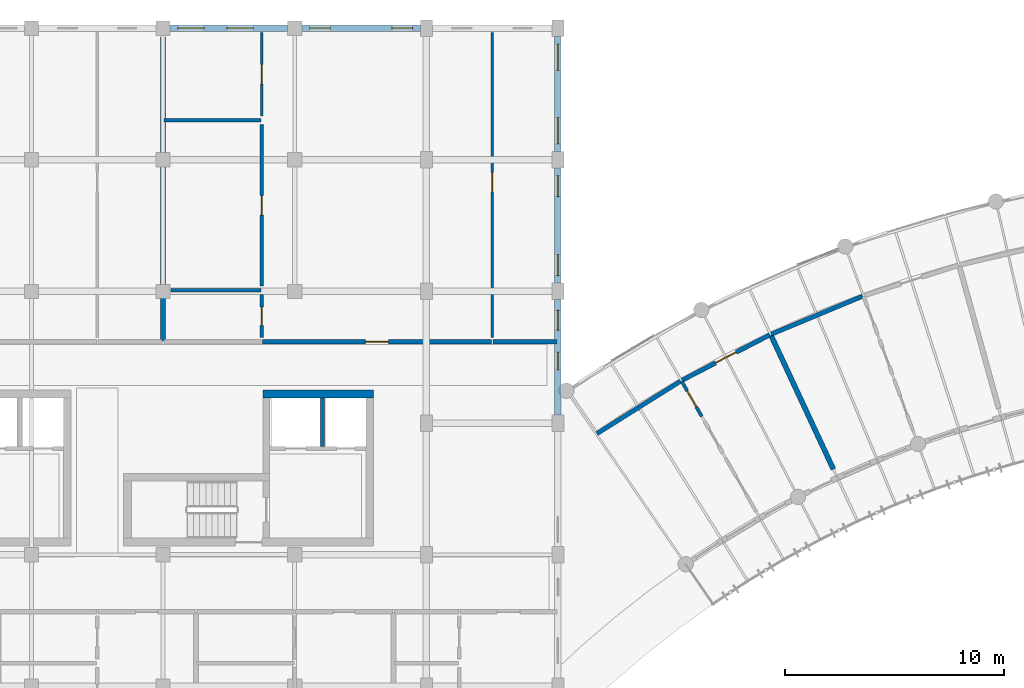
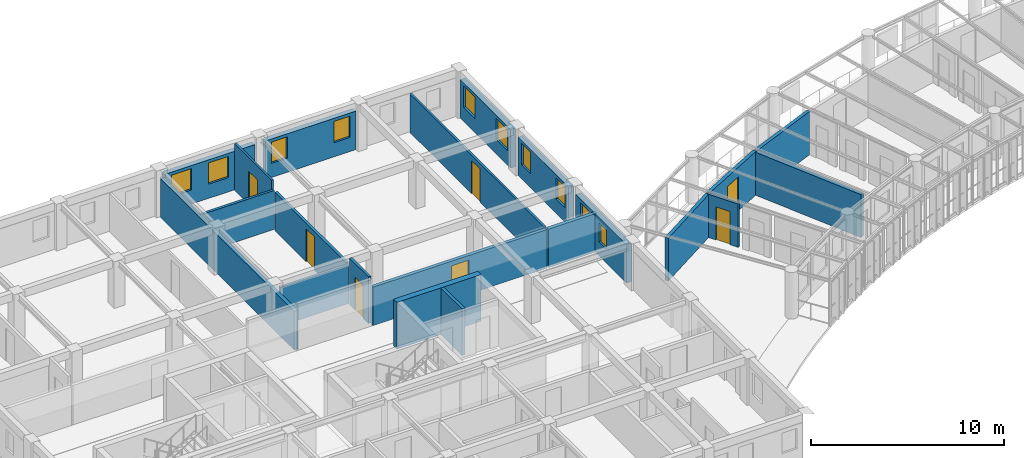
# One storey, part 72 of 100: 21 walls, 10 windows, 7 doors, 17 openings.
"""IFC4 building model written with IfcOpenShell, lengths in metres."""

import ifcopenshell
import ifcopenshell.guid

model = None  # the IFC model being written
_history = None  # IfcOwnerHistory: only IFC2X3 demands one
_inside = {}  # id of a spatial element -> (the spatial element, [elements in it])
_under = {}  # id of a project, library or spatial element -> (it, [spatial elements below it])
_declared = {}  # id of a project -> (the project, [libraries it declares])
_typed = {}  # id of a type object -> (the type object, [elements of that type])
_made_of = {}  # id of a material, layer set ... -> (it, [elements and type objects made of it])


def new_model(schema):
    """Start an empty IFC model of exactly this schema.

    Asked for "IFC4X3", IfcOpenShell would pick the latest addendum, in which some entities
    have other attributes; the version numbers below select the first issue.
    IFC2X3 requires an IfcOwnerHistory on every rooted entity: one is made here for all.
    """
    global model, _history
    if schema == "IFC4X3":
        model = ifcopenshell.file(schema_version=(4, 3, 0, 0))
    else:
        model = ifcopenshell.file(schema=schema)
    _inside.clear()
    _under.clear()
    _declared.clear()
    _typed.clear()
    _made_of.clear()
    _history = None
    if model.schema == "IFC2X3":
        org = make("IfcOrganization", Name="unknown")
        user = make(
            "IfcPersonAndOrganization",
            ThePerson=make("IfcPerson", FamilyName="unknown"),
            TheOrganization=org,
        )
        app = make(
            "IfcApplication",
            ApplicationDeveloper=org,
            Version="unknown",
            ApplicationFullName="unknown",
            ApplicationIdentifier="unknown",
        )
        _history = make(
            "IfcOwnerHistory",
            OwningUser=user,
            OwningApplication=app,
            ChangeAction="ADDED",
            CreationDate=0,
        )
    return model


def make(cls, **values):
    """One entity of the class cls with the attributes given. An attribute that is None is left unset."""
    return model.create_entity(
        cls, **{name: value for name, value in values.items() if value is not None}
    )


def rooted(cls, **values):
    """An entity with a GlobalId (a new one), such as an element, a storey or a relation."""
    return make(cls, GlobalId=ifcopenshell.guid.new(), OwnerHistory=_history, **values)


def si_unit(unit_type, name, prefix=None):
    """IfcSIUnit, for example si_unit("LENGTHUNIT", "METRE", prefix="MILLI")."""
    return make("IfcSIUnit", UnitType=unit_type, Prefix=prefix, Name=name)


def assignment(units):
    """IfcUnitAssignment: the units of a project."""
    return None if units is None else make("IfcUnitAssignment", Units=units)


def point(xyz):
    """IfcCartesianPoint."""
    return None if xyz is None else make("IfcCartesianPoint", Coordinates=xyz)


def direction(xyz):
    """IfcDirection."""
    return None if xyz is None else make("IfcDirection", DirectionRatios=xyz)


def frame(location, z_axis=None, x_axis=None):
    """IfcAxis2Placement3D, a coordinate frame: its origin and axes. An axis left out is left unset."""
    return make(
        "IfcAxis2Placement3D",
        Location=point(location),
        Axis=direction(z_axis),
        RefDirection=direction(x_axis),
    )


def frame_2d(location, x_axis=None):
    """IfcAxis2Placement2D, a coordinate frame in the plane: its origin and x axis."""
    return make(
        "IfcAxis2Placement2D", Location=point(location), RefDirection=direction(x_axis)
    )


def origin():
    """The frame at (0, 0, 0) with its axes left unset."""
    return frame((0.0, 0.0, 0.0))


def place(relative_to, where):
    """IfcLocalPlacement: puts the frame where relative to a parent placement (None: the world)."""
    return make(
        "IfcLocalPlacement", PlacementRelTo=relative_to, RelativePlacement=where
    )


def context(
    kind, dimensions, precision=None, world=None, true_north=None, identifier=None
):
    """IfcGeometricRepresentationContext, for example the 3D "Model" context."""
    return make(
        "IfcGeometricRepresentationContext",
        ContextIdentifier=identifier,
        ContextType=kind,
        CoordinateSpaceDimension=dimensions,
        Precision=precision,
        WorldCoordinateSystem=world,
        TrueNorth=true_north,
    )


def subcontext(parent, identifier, kind, view, scale=None):
    """IfcGeometricRepresentationSubContext, for example "Body" below "Model"."""
    return make(
        "IfcGeometricRepresentationSubContext",
        ContextIdentifier=identifier,
        ContextType=kind,
        ParentContext=parent,
        TargetScale=scale,
        TargetView=view,
    )


def project(units=None, contexts=None):
    """IfcProject with its units and contexts."""
    return rooted(
        "IfcProject",
        Name="project",
        RepresentationContexts=contexts,
        UnitsInContext=assignment(units),
    )


def spatial(cls, under=None, at=None, **own):
    """A site, building, storey or space (cls), placed at a placement, below another one or the project."""
    s = rooted(cls, ObjectPlacement=at, **own)
    if under is not None:
        _under.setdefault(under.id(), (under, []))[1].append(s)
    return s


def profile(cls, at=None, kind="AREA", **sizes):
    """A parametric profile (cls). Its sizes go by their IFC names, for example OverallWidth=200.0."""
    return make(cls, ProfileType=kind, Position=at, **sizes)


def rectangle(**sizes):
    """IfcRectangleProfileDef."""
    return profile("IfcRectangleProfileDef", **sizes)


def extrude(swept, where, along, depth):
    """IfcExtrudedAreaSolid: the profile swept, set in the frame where, extruded along a direction by depth."""
    return make(
        "IfcExtrudedAreaSolid",
        SweptArea=swept,
        Position=where,
        ExtrudedDirection=direction(along),
        Depth=depth,
    )


def shape(context_of_items, identifier, shape_type, items):
    """IfcShapeRepresentation: the items that make up one representation, for example the "Body"."""
    return make(
        "IfcShapeRepresentation",
        ContextOfItems=context_of_items,
        RepresentationIdentifier=identifier,
        RepresentationType=shape_type,
        Items=items,
    )


def material(Name=None, Category=None):
    """IfcMaterial."""
    return make("IfcMaterial", Name=Name, Category=Category)


def layer(
    of_material, thickness, ventilated=None, Name=None, Category=None, Priority=None
):
    """IfcMaterialLayer: one layer of a wall or slab, of a material (None: an air gap)."""
    return make(
        "IfcMaterialLayer",
        Material=of_material,
        LayerThickness=thickness,
        IsVentilated=ventilated,
        Name=Name,
        Category=Category,
        Priority=Priority,
    )


def layer_set(layers, Name=None):
    """IfcMaterialLayerSet."""
    return make("IfcMaterialLayerSet", MaterialLayers=layers, LayerSetName=Name)


def made_of(thing, what):
    """Note that an element or type object is made of a material, layer set ...; save() writes the relation."""
    if what is not None:
        _made_of.setdefault(what.id(), (what, []))[1].append(thing)
    return thing


def type_object(cls, material=None, **own):
    """A type object (cls), such as IfcWallType, which elements share."""
    return made_of(rooted(cls, **own), material)


def element(
    cls,
    number,
    at=None,
    inside=None,
    cuts=None,
    type_object=None,
    material=None,
    context=None,
    identifier="Body",
    shape_type=None,
    held_by="IfcProductDefinitionShape",
    body=None,
    shapes=None,
    **own,
):
    """One element of the class cls, such as IfcWall. Its Tag is "e" and its number.

    at: its placement. inside: the storey or other place that contains it. cuts: it is an
    opening in that element (IfcRelVoidsElement). A single representation is given by context,
    identifier, shape_type and body (its items); several are given by shapes. held_by: the class
    of the entity that holds the representations. save() writes the other relations.
    """
    e = rooted(cls, Tag="e%d" % number, ObjectPlacement=at, **own)
    if body is not None:
        shapes = [shape(context, identifier, shape_type, body)]
    if shapes is not None:
        e.Representation = make(held_by, Representations=shapes)
    if inside is not None:
        _inside.setdefault(inside.id(), (inside, []))[1].append(e)
    if cuts is not None:
        rooted(
            "IfcRelVoidsElement", RelatingBuildingElement=cuts, RelatedOpeningElement=e
        )
    if type_object is not None:
        _typed.setdefault(type_object.id(), (type_object, []))[1].append(e)
    return made_of(e, material)


def fill(opening, filler):
    """IfcRelFillsElement: the door or window that sits in an opening."""
    return rooted(
        "IfcRelFillsElement",
        RelatingOpeningElement=opening,
        RelatedBuildingElement=filler,
    )


def aggregate(whole, parts):
    """IfcRelAggregates: a whole, such as a stair, and the parts it consists of."""
    return rooted("IfcRelAggregates", RelatingObject=whole, RelatedObjects=parts)


def save(model, path):
    """Write the relations noted so far, then the file.

    IfcRelAggregates (storeys below a building ...), IfcRelContainedInSpatialStructure (elements
    in a storey), IfcRelDefinesByType, IfcRelAssociatesMaterial and IfcRelDeclares: one each for
    every whole, place, type object, material and project.
    """
    for whole, parts in _under.values():
        aggregate(whole, parts)
    for where, things in _inside.values():
        rooted(
            "IfcRelContainedInSpatialStructure",
            RelatedElements=things,
            RelatingStructure=where,
        )
    for kind, things in _typed.values():
        rooted("IfcRelDefinesByType", RelatedObjects=things, RelatingType=kind)
    for what, things in _made_of.values():
        rooted("IfcRelAssociatesMaterial", RelatedObjects=things, RelatingMaterial=what)
    for by, libraries in _declared.values():
        rooted("IfcRelDeclares", RelatingContext=by, RelatedDefinitions=libraries)
    model.write(path)


model = new_model("IFC4")

# Units and contexts
model_context = context("Model", 3, precision=1e-05, world=origin(), true_north=direction((0.0, 1.0)))
body_context = subcontext(model_context, "Body", "Model", "MODEL_VIEW")
ifc_project = project(units=[si_unit("LENGTHUNIT", "METRE"), si_unit("AREAUNIT", "SQUARE_METRE"), si_unit("VOLUMEUNIT", "CUBIC_METRE"), si_unit("PLANEANGLEUNIT", "RADIAN"), si_unit("MASSUNIT", "GRAM", prefix="KILO"), si_unit("POWERUNIT", "WATT"), si_unit("THERMODYNAMICTEMPERATUREUNIT", "KELVIN")], contexts=[model_context])

# Site, building, storey
site_placement = place(None, origin())
site = spatial("IfcSite", under=ifc_project, at=site_placement, CompositionType="ELEMENT")
building_placement = place(site_placement, origin())
building = spatial("IfcBuilding", under=site, at=building_placement, Name="Ruvembo Vaulted Housing Court", CompositionType="ELEMENT")
storey_placement = place(building_placement, frame((0.0, 0.0, 10.89990234375)))
storey = spatial("IfcBuildingStorey", under=building, at=storey_placement, Name="L03", CompositionType="ELEMENT", Elevation=10.89990234375)

# Wall
ifc_material_1 = material(Name="Concrete C35/45", Category="concrete")
ifc_layer_1 = layer(ifc_material_1, 0.35009765625, Name="Concrete C35/45")
ifc_layer_set_1 = layer_set([ifc_layer_1], Name="Concrete C35/45")
wall_type_1 = type_object("IfcWallType", Name="WL-CORE-350", PredefinedType="SHEAR", material=ifc_layer_set_1)
wall_1_placement = place(storey_placement, frame((75.60009765625, 97.324951171875, 0.0), z_axis=(0.0, 0.0, 1.0), x_axis=(-1.0, 0.0, 0.0)))
element("IfcWall", 1, at=wall_1_placement, inside=storey, type_object=wall_type_1, Name="Core B2 L03 North Shear Wall", PredefinedType="SHEAR", context=body_context, shape_type="SweptSolid", body=[
    extrude(rectangle(XDim=5.050048828125, YDim=0.35009765625, at=frame_2d((2.52490234375, 0.0))), origin(), (0.0, 0.0, 1.0), 2.960205078125),
])

# Wall, opening, door
ifc_material_2 = material(Name="Concrete Blockwork 200", Category="masonry")
ifc_layer_2 = layer(ifc_material_2, 0.199951171875, Name="Concrete Blockwork 200")
ifc_layer_set_2 = layer_set([ifc_layer_2], Name="Concrete Blockwork 200")
wall_type_2 = type_object("IfcWallType", Name="WL-CORR-200", PredefinedType="SOLIDWALL", material=ifc_layer_set_2)
wall_2_placement = place(storey_placement, frame((70.5400390625, 99.699951171875, 0.0), z_axis=(0.0, 0.0, 1.0), x_axis=(1.0, 0.0, 0.0)))
wall_2 = element("IfcWall", 2, at=wall_2_placement, inside=storey, type_object=wall_type_2, Name="L03 Flat B-L03-N2 Entrance WL-INT-L03-00867", PredefinedType="SOLIDWALL", context=body_context, shape_type="SweptSolid", body=[
    extrude(rectangle(XDim=10.419921875, YDim=0.199951171875, at=frame_2d((5.2099609375, 0.0))), origin(), (0.0, 0.0, 1.0), 2.442138671875),
])
opening_1_placement = place(wall_2_placement, frame((4.68505859375, 0.0, 0.0)))
opening_1 = element("IfcOpeningElement", 3, at=opening_1_placement, cuts=wall_2, Name="Opening FD3", PredefinedType="OPENING", context=body_context, shape_type="SweptSolid", body=[
    extrude(rectangle(XDim=1.050048828125, YDim=2.14990234375, at=frame_2d((0.52490234375, 1.074951171875))), frame((0.0, 0.10986328125, 0.0), z_axis=(0.0, -1.0, 0.0), x_axis=(1.0, 0.0, 0.0)), (0.0, 0.0, 1.0), 0.219970703125),
])
ifc_material_3 = material(Name="FSC Hardwood and Engineered Timber", Category="wood")
door_type_1 = type_object("IfcDoorType", Name="DR-FLAT-1050x2150", OperationType="NOTDEFINED", PredefinedType="DOOR", material=ifc_material_3)
door_1_placement = place(opening_1_placement, origin())
door_1 = element("IfcDoor", 4, at=door_1_placement, inside=storey, type_object=door_type_1, Name="L03 Flat B-L03-N2 Entrance Door DR-INT-L03-00479", OperationType="SINGLE_SWING_LEFT", OverallHeight=2.14990234375, OverallWidth=1.050048828125, PredefinedType="DOOR", context=body_context, shape_type="SweptSolid", body=[
    extrude(rectangle(XDim=1.050048828125, YDim=2.14990234375, at=frame_2d((0.52490234375, 1.074951171875))), frame((0.0, 0.02490234375, 0.0), z_axis=(0.0, -1.0, 0.0), x_axis=(1.0, 0.0, 0.0)), (0.0, 0.0, 1.0), 0.050048828125),
])
fill(opening_1, door_1)

# Walls
wall_3_placement = place(storey_placement, frame((81.0400390625, 99.699951171875, 0.0), z_axis=(0.0, 0.0, 1.0), x_axis=(1.0, 0.0, 0.0)))
element("IfcWall", 5, at=wall_3_placement, inside=storey, type_object=wall_type_2, Name="L03 Flat B-L03-N2 Corridor Wall 2 WL-INT-L03-00873", PredefinedType="SOLIDWALL", context=body_context, shape_type="SweptSolid", body=[
    extrude(rectangle(XDim=2.919921875, YDim=0.199951171875, at=frame_2d((1.4599609375, 0.0))), origin(), (0.0, 0.0, 1.0), 2.442138671875),
])
wall_4_placement = place(storey_placement, frame((85.779052734375, 95.5205078125, 0.0), z_axis=(0.0, 0.0, 1.0), x_axis=(0.847037081085, 0.531533802563, 0.0)))
element("IfcWall", 6, at=wall_4_placement, inside=storey, type_object=wall_type_2, Name="L03 Suite SC3-L03-U1 Gallery Wall WL-INT-L03-01045", PredefinedType="SOLIDWALL", context=body_context, shape_type="SweptSolid", body=[
    extrude(rectangle(XDim=4.501220703125, YDim=0.199951171875, at=frame_2d((2.25048828125, 0.0))), origin(), (0.0, 0.0, 1.0), 2.72216796875),
])

# Wall, opening, door
wall_5_placement = place(storey_placement, frame((89.661376953125, 97.95263671875, 0.0), z_axis=(0.0, 0.0, 1.0), x_axis=(0.888203141908, 0.459450953536, 0.0)))
wall_5 = element("IfcWall", 7, at=wall_5_placement, inside=storey, type_object=wall_type_2, Name="L03 Suite SC3-L03-U1 Entrance WL-INT-L03-01046", PredefinedType="SOLIDWALL", context=body_context, shape_type="SweptSolid", body=[
    extrude(rectangle(XDim=4.501220703125, YDim=0.199951171875, at=frame_2d((2.25048828125, 0.0))), origin(), (0.0, 0.0, 1.0), 2.76220703125),
])
opening_2_placement = place(wall_5_placement, frame((1.7255859375, 0.0, 0.0)))
opening_2 = element("IfcOpeningElement", 8, at=opening_2_placement, cuts=wall_5, Name="Opening FD3", PredefinedType="OPENING", context=body_context, shape_type="SweptSolid", body=[
    extrude(rectangle(XDim=1.050048828125, YDim=2.14990234375, at=frame_2d((0.52490234375, 1.074951171875))), frame((0.0, 0.10986328125, 0.0), z_axis=(0.0, -1.0, 0.0), x_axis=(1.0, 0.0, 0.0)), (0.0, 0.0, 1.0), 0.219970703125),
])
door_2_placement = place(opening_2_placement, origin())
door_2 = element("IfcDoor", 9, at=door_2_placement, inside=storey, type_object=door_type_1, Name="L03 Suite SC3-L03-U1 Entrance Door DR-INT-L03-00584", OperationType="SINGLE_SWING_RIGHT", OverallHeight=2.14990234375, OverallWidth=1.050048828125, PredefinedType="DOOR", context=body_context, shape_type="SweptSolid", body=[
    extrude(rectangle(XDim=1.050048828125, YDim=2.14990234375, at=frame_2d((0.52490234375, 1.074951171875))), frame((0.0, 0.02490234375, 0.0), z_axis=(0.0, -1.0, 0.0), x_axis=(1.0, 0.0, 0.0)), (0.0, 0.0, 1.0), 0.050048828125),
])
fill(opening_2, door_2)

# Walls
wall_6_placement = place(storey_placement, frame((93.73193359375, 100.0546875, 0.0), z_axis=(0.0, 0.0, 1.0), x_axis=(0.923267760269, 0.384157054925, 0.0)))
element("IfcWall", 10, at=wall_6_placement, inside=storey, type_object=wall_type_2, Name="L03 Suite SC3-L03-U2 Gallery Wall WL-INT-L03-01051", PredefinedType="SOLIDWALL", context=body_context, shape_type="SweptSolid", body=[
    extrude(rectangle(XDim=4.50146484375, YDim=0.199951171875, at=frame_2d((2.250732421875, 0.0))), origin(), (0.0, 0.0, 1.0), 2.7421875),
])
ifc_material_4 = material(Name="Acoustic Masonry Demising 230", Category="masonry")
ifc_layer_3 = layer(ifc_material_4, 0.22998046875, Name="Acoustic Masonry Demising 230")
ifc_layer_set_3 = layer_set([ifc_layer_3], Name="Acoustic Masonry Demising 230")
wall_type_3 = type_object("IfcWallType", Name="WL-DEM-230", PredefinedType="SOLIDWALL", material=ifc_layer_set_3)
wall_7_placement = place(storey_placement, frame((66.0, 99.739990234375, 0.0), z_axis=(0.0, 0.0, 1.0), x_axis=(0.0, 1.0, 0.0)))
element("IfcWall", 11, at=wall_7_placement, inside=storey, type_object=wall_type_3, Name="L03 Demising B-L03-N1 WL-INT-L03-00856", PredefinedType="SOLIDWALL", context=body_context, shape_type="SweptSolid", body=[
    extrude(rectangle(XDim=13.8701171875, YDim=0.22998046875, at=frame_2d((6.93505859375, 0.0))), origin(), (0.0, 0.0, 1.0), 2.4580078125),
])
wall_8_placement = place(storey_placement, frame((96.555908203125, 93.896728515625, 0.0), z_axis=(0.0, 0.0, 1.0), x_axis=(-0.422206763189, 0.906499558256, 0.0)))
element("IfcWall", 12, at=wall_8_placement, inside=storey, type_object=wall_type_3, Name="L03 Suite SC3-L03-U1 Demising WL-INT-L03-01050", PredefinedType="SOLIDWALL", context=body_context, shape_type="SweptSolid", body=[
    extrude(rectangle(XDim=6.736083984375, YDim=0.22998046875, at=frame_2d((3.3681640625, 0.0))), origin(), (0.0, 0.0, 1.0), 2.72216796875),
])

# Wall, openings, windows
ifc_material_5 = material(Name="Rendered Masonry 300", Category="masonry")
ifc_layer_4 = layer(ifc_material_5, 0.300048828125, Name="Rendered Masonry 300")
ifc_layer_set_4 = layer_set([ifc_layer_4], Name="Rendered Masonry 300")
wall_type_4 = type_object("IfcWallType", Name="WL-EXT-300", PredefinedType="STANDARD", material=ifc_layer_set_4)
wall_9_placement = place(storey_placement, frame((84.0, 96.375, 0.0), z_axis=(0.0, 0.0, 1.0), x_axis=(0.0, 1.0, 0.0)))
wall_9 = element("IfcWall", 13, at=wall_9_placement, inside=storey, type_object=wall_type_4, Name="Block B L03 Exterior Wall EAST #4", PredefinedType="STANDARD", context=body_context, shape_type="SweptSolid", body=[
    extrude(rectangle(XDim=5.25, YDim=0.300048828125, at=frame_2d((2.625, 0.0))), origin(), (0.0, 0.0, 1.0), 2.442138671875),
])
opening_3_placement = place(wall_9_placement, frame((2.0537109375, 0.0, 0.89990234375)))
opening_3 = element("IfcOpeningElement", 14, at=opening_3_placement, cuts=wall_9, Name="Opening W02", PredefinedType="OPENING", context=body_context, shape_type="SweptSolid", body=[
    extrude(rectangle(XDim=0.800048828125, YDim=1.199951171875, at=frame_2d((0.39990234375, 0.60009765625))), frame((0.0, 0.159912109375, 0.0), z_axis=(0.0, -1.0, 0.0), x_axis=(1.0, 0.0, 0.0)), (0.0, 0.0, 1.0), 0.320068359375),
])
opening_4_placement = place(wall_9_placement, frame((3.857421875, 0.0, 0.89990234375)))
opening_4 = element("IfcOpeningElement", 15, at=opening_4_placement, cuts=wall_9, Name="Opening W04", PredefinedType="OPENING", context=body_context, shape_type="SweptSolid", body=[
    extrude(rectangle(XDim=0.89990234375, YDim=1.300048828125, at=frame_2d((0.449951171875, 0.64990234375))), frame((0.0, 0.159912109375, 0.0), z_axis=(0.0, -1.0, 0.0), x_axis=(1.0, 0.0, 0.0)), (0.0, 0.0, 1.0), 0.320068359375),
])
ifc_material_6 = material(Name="Double Solar-Control Glazing in Aluminium Frame", Category="aluminium")
window_type_1 = type_object("IfcWindowType", Name="WIN-0800x1200", PartitioningType="SINGLE_PANEL", PredefinedType="WINDOW", material=ifc_material_6)
window_1_placement = place(opening_3_placement, origin())
window_1 = element("IfcWindow", 16, at=window_1_placement, inside=storey, type_object=window_type_1, Name="Block B L03 Window #739", OverallHeight=1.199951171875, OverallWidth=0.800048828125, PartitioningType="SINGLE_PANEL", PredefinedType="WINDOW", context=body_context, shape_type="SweptSolid", body=[
    extrude(rectangle(XDim=0.800048828125, YDim=1.199951171875, at=frame_2d((0.39990234375, 0.60009765625))), frame((0.0, 0.030029296875, 0.0), z_axis=(0.0, -1.0, 0.0), x_axis=(1.0, 0.0, 0.0)), (0.0, 0.0, 1.0), 0.06005859375),
])
fill(opening_3, window_1)
window_type_2 = type_object("IfcWindowType", Name="WIN-0900x1300", PartitioningType="SINGLE_PANEL", PredefinedType="WINDOW", material=ifc_material_6)
window_2_placement = place(opening_4_placement, origin())
window_2 = element("IfcWindow", 17, at=window_2_placement, inside=storey, type_object=window_type_2, Name="Block B L03 Window #740", OverallHeight=1.300048828125, OverallWidth=0.89990234375, PartitioningType="SINGLE_PANEL", PredefinedType="WINDOW", context=body_context, shape_type="SweptSolid", body=[
    extrude(rectangle(XDim=0.89990234375, YDim=1.300048828125, at=frame_2d((0.449951171875, 0.64990234375))), frame((0.0, 0.030029296875, 0.0), z_axis=(0.0, -1.0, 0.0), x_axis=(1.0, 0.0, 0.0)), (0.0, 0.0, 1.0), 0.06005859375),
])
fill(opening_4, window_2)

wall_10_placement = place(storey_placement, frame((84.0, 102.375, 0.0), z_axis=(0.0, 0.0, 1.0), x_axis=(0.0, 1.0, 0.0)))
wall_10 = element("IfcWall", 18, at=wall_10_placement, inside=storey, type_object=wall_type_4, Name="Block B L03 Exterior Wall EAST #5", PredefinedType="STANDARD", context=body_context, shape_type="SweptSolid", body=[
    extrude(rectangle(XDim=5.25, YDim=0.300048828125, at=frame_2d((2.625, 0.0))), origin(), (0.0, 0.0, 1.0), 2.442138671875),
])
opening_5_placement = place(wall_10_placement, frame((0.35009765625, 0.0, 0.89990234375)))
opening_5 = element("IfcOpeningElement", 19, at=opening_5_placement, cuts=wall_10, Name="Opening W07", PredefinedType="OPENING", context=body_context, shape_type="SweptSolid", body=[
    extrude(rectangle(XDim=0.949951171875, YDim=1.35009765625, at=frame_2d((0.47509765625, 0.675048828125))), frame((0.0, 0.159912109375, 0.0), z_axis=(0.0, -1.0, 0.0), x_axis=(1.0, 0.0, 0.0)), (0.0, 0.0, 1.0), 0.320068359375),
])
opening_6_placement = place(wall_10_placement, frame((3.949951171875, 0.0, 0.89990234375)))
opening_6 = element("IfcOpeningElement", 20, at=opening_6_placement, cuts=wall_10, Name="Opening W07", PredefinedType="OPENING", context=body_context, shape_type="SweptSolid", body=[
    extrude(rectangle(XDim=0.949951171875, YDim=1.35009765625, at=frame_2d((0.47509765625, 0.675048828125))), frame((0.0, 0.159912109375, 0.0), z_axis=(0.0, -1.0, 0.0), x_axis=(1.0, 0.0, 0.0)), (0.0, 0.0, 1.0), 0.320068359375),
])
window_type_3 = type_object("IfcWindowType", Name="WIN-0950x1350", PartitioningType="SINGLE_PANEL", PredefinedType="WINDOW", material=ifc_material_6)
window_3_placement = place(opening_5_placement, origin())
window_3 = element("IfcWindow", 21, at=window_3_placement, inside=storey, type_object=window_type_3, Name="Block B L03 Window #741", OverallHeight=1.35009765625, OverallWidth=0.949951171875, PartitioningType="SINGLE_PANEL", PredefinedType="WINDOW", context=body_context, shape_type="SweptSolid", body=[
    extrude(rectangle(XDim=0.949951171875, YDim=1.35009765625, at=frame_2d((0.47509765625, 0.675048828125))), frame((0.0, 0.030029296875, 0.0), z_axis=(0.0, -1.0, 0.0), x_axis=(1.0, 0.0, 0.0)), (0.0, 0.0, 1.0), 0.06005859375),
])
fill(opening_5, window_3)
window_4_placement = place(opening_6_placement, origin())
window_4 = element("IfcWindow", 22, at=window_4_placement, inside=storey, type_object=window_type_3, Name="Block B L03 Window #742", OverallHeight=1.35009765625, OverallWidth=0.949951171875, PartitioningType="SINGLE_PANEL", PredefinedType="WINDOW", context=body_context, shape_type="SweptSolid", body=[
    extrude(rectangle(XDim=0.949951171875, YDim=1.35009765625, at=frame_2d((0.47509765625, 0.675048828125))), frame((0.0, 0.030029296875, 0.0), z_axis=(0.0, -1.0, 0.0), x_axis=(1.0, 0.0, 0.0)), (0.0, 0.0, 1.0), 0.06005859375),
])
fill(opening_6, window_4)

wall_11_placement = place(storey_placement, frame((84.0, 108.375, 0.0), z_axis=(0.0, 0.0, 1.0), x_axis=(0.0, 1.0, 0.0)))
wall_11 = element("IfcWall", 23, at=wall_11_placement, inside=storey, type_object=wall_type_4, Name="Block B L03 Exterior Wall EAST #6", PredefinedType="STANDARD", context=body_context, shape_type="SweptSolid", body=[
    extrude(rectangle(XDim=5.25, YDim=0.300048828125, at=frame_2d((2.625, 0.0))), origin(), (0.0, 0.0, 1.0), 2.442138671875),
])
opening_7_placement = place(wall_11_placement, frame((0.35009765625, 0.0, 0.89990234375)))
opening_7 = element("IfcOpeningElement", 24, at=opening_7_placement, cuts=wall_11, Name="Opening W12", PredefinedType="OPENING", context=body_context, shape_type="SweptSolid", body=[
    extrude(rectangle(XDim=1.199951171875, YDim=1.35009765625, at=frame_2d((0.60009765625, 0.675048828125))), frame((0.0, 0.159912109375, 0.0), z_axis=(0.0, -1.0, 0.0), x_axis=(1.0, 0.0, 0.0)), (0.0, 0.0, 1.0), 0.320068359375),
])
opening_8_placement = place(wall_11_placement, frame((3.699951171875, 0.0, 0.89990234375)))
opening_8 = element("IfcOpeningElement", 25, at=opening_8_placement, cuts=wall_11, Name="Opening W12", PredefinedType="OPENING", context=body_context, shape_type="SweptSolid", body=[
    extrude(rectangle(XDim=1.199951171875, YDim=1.35009765625, at=frame_2d((0.60009765625, 0.675048828125))), frame((0.0, 0.159912109375, 0.0), z_axis=(0.0, -1.0, 0.0), x_axis=(1.0, 0.0, 0.0)), (0.0, 0.0, 1.0), 0.320068359375),
])
window_type_4 = type_object("IfcWindowType", Name="WIN-1200x1350", PartitioningType="SINGLE_PANEL", PredefinedType="WINDOW", material=ifc_material_6)
window_5_placement = place(opening_7_placement, origin())
window_5 = element("IfcWindow", 26, at=window_5_placement, inside=storey, type_object=window_type_4, Name="Block B L03 Window #743", OverallHeight=1.35009765625, OverallWidth=1.199951171875, PartitioningType="SINGLE_PANEL", PredefinedType="WINDOW", context=body_context, shape_type="SweptSolid", body=[
    extrude(rectangle(XDim=1.199951171875, YDim=1.35009765625, at=frame_2d((0.60009765625, 0.675048828125))), frame((0.0, 0.030029296875, 0.0), z_axis=(0.0, -1.0, 0.0), x_axis=(1.0, 0.0, 0.0)), (0.0, 0.0, 1.0), 0.06005859375),
])
fill(opening_7, window_5)
window_6_placement = place(opening_8_placement, origin())
window_6 = element("IfcWindow", 27, at=window_6_placement, inside=storey, type_object=window_type_4, Name="Block B L03 Window #744", OverallHeight=1.35009765625, OverallWidth=1.199951171875, PartitioningType="SINGLE_PANEL", PredefinedType="WINDOW", context=body_context, shape_type="SweptSolid", body=[
    extrude(rectangle(XDim=1.199951171875, YDim=1.35009765625, at=frame_2d((0.60009765625, 0.675048828125))), frame((0.0, 0.030029296875, 0.0), z_axis=(0.0, -1.0, 0.0), x_axis=(1.0, 0.0, 0.0)), (0.0, 0.0, 1.0), 0.06005859375),
])
fill(opening_8, window_6)

wall_12_placement = place(storey_placement, frame((77.72509765625, 114.0, 0.0), z_axis=(0.0, 0.0, 1.0), x_axis=(-1.0, 0.0, 0.0)))
wall_12 = element("IfcWall", 28, at=wall_12_placement, inside=storey, type_object=wall_type_4, Name="Block B L03 Exterior Wall STREET #2", PredefinedType="STANDARD", context=body_context, shape_type="SweptSolid", body=[
    extrude(rectangle(XDim=5.400146484375, YDim=0.300048828125, at=frame_2d((2.7001953125, 0.0))), origin(), (0.0, 0.0, 1.0), 2.442138671875),
])
opening_9_placement = place(wall_12_placement, frame((0.35009765625, 0.0, 0.89990234375)))
opening_9 = element("IfcOpeningElement", 29, at=opening_9_placement, cuts=wall_12, Name="Opening W07", PredefinedType="OPENING", context=body_context, shape_type="SweptSolid", body=[
    extrude(rectangle(XDim=0.949951171875, YDim=1.35009765625, at=frame_2d((0.47509765625, 0.675048828125))), frame((0.0, 0.159912109375, 0.0), z_axis=(0.0, -1.0, 0.0), x_axis=(1.0, 0.0, 0.0)), (0.0, 0.0, 1.0), 0.320068359375),
])
opening_10_placement = place(wall_12_placement, frame((4.10009765625, 0.0, 0.89990234375)))
opening_10 = element("IfcOpeningElement", 30, at=opening_10_placement, cuts=wall_12, Name="Opening W07", PredefinedType="OPENING", context=body_context, shape_type="SweptSolid", body=[
    extrude(rectangle(XDim=0.949951171875, YDim=1.35009765625, at=frame_2d((0.47509765625, 0.675048828125))), frame((0.0, 0.159912109375, 0.0), z_axis=(0.0, -1.0, 0.0), x_axis=(1.0, 0.0, 0.0)), (0.0, 0.0, 1.0), 0.320068359375),
])
window_7_placement = place(opening_9_placement, origin())
window_7 = element("IfcWindow", 31, at=window_7_placement, inside=storey, type_object=window_type_3, Name="Block B L03 Window #747", OverallHeight=1.35009765625, OverallWidth=0.949951171875, PartitioningType="SINGLE_PANEL", PredefinedType="WINDOW", context=body_context, shape_type="SweptSolid", body=[
    extrude(rectangle(XDim=0.949951171875, YDim=1.35009765625, at=frame_2d((0.47509765625, 0.675048828125))), frame((0.0, 0.030029296875, 0.0), z_axis=(0.0, -1.0, 0.0), x_axis=(1.0, 0.0, 0.0)), (0.0, 0.0, 1.0), 0.06005859375),
])
fill(opening_9, window_7)
window_8_placement = place(opening_10_placement, origin())
window_8 = element("IfcWindow", 32, at=window_8_placement, inside=storey, type_object=window_type_3, Name="Block B L03 Window #748", OverallHeight=1.35009765625, OverallWidth=0.949951171875, PartitioningType="SINGLE_PANEL", PredefinedType="WINDOW", context=body_context, shape_type="SweptSolid", body=[
    extrude(rectangle(XDim=0.949951171875, YDim=1.35009765625, at=frame_2d((0.47509765625, 0.675048828125))), frame((0.0, 0.030029296875, 0.0), z_axis=(0.0, -1.0, 0.0), x_axis=(1.0, 0.0, 0.0)), (0.0, 0.0, 1.0), 0.06005859375),
])
fill(opening_10, window_8)

wall_13_placement = place(storey_placement, frame((71.675048828125, 114.0, 0.0), z_axis=(0.0, 0.0, 1.0), x_axis=(-1.0, 0.0, 0.0)))
wall_13 = element("IfcWall", 33, at=wall_13_placement, inside=storey, type_object=wall_type_4, Name="Block B L03 Exterior Wall STREET #3", PredefinedType="STANDARD", context=body_context, shape_type="SweptSolid", body=[
    extrude(rectangle(XDim=5.35009765625, YDim=0.300048828125, at=frame_2d((2.675048828125, 0.0))), origin(), (0.0, 0.0, 1.0), 2.442138671875),
])
opening_11_placement = place(wall_13_placement, frame((1.56494140625, 0.0, 0.89990234375)))
opening_11 = element("IfcOpeningElement", 34, at=opening_11_placement, cuts=wall_13, Name="Opening W12", PredefinedType="OPENING", context=body_context, shape_type="SweptSolid", body=[
    extrude(rectangle(XDim=1.199951171875, YDim=1.35009765625, at=frame_2d((0.60009765625, 0.675048828125))), frame((0.0, 0.159912109375, 0.0), z_axis=(0.0, -1.0, 0.0), x_axis=(1.0, 0.0, 0.0)), (0.0, 0.0, 1.0), 0.320068359375),
])
opening_12_placement = place(wall_13_placement, frame((3.800048828125, 0.0, 0.89990234375)))
opening_12 = element("IfcOpeningElement", 35, at=opening_12_placement, cuts=wall_13, Name="Opening W12", PredefinedType="OPENING", context=body_context, shape_type="SweptSolid", body=[
    extrude(rectangle(XDim=1.199951171875, YDim=1.35009765625, at=frame_2d((0.60009765625, 0.675048828125))), frame((0.0, 0.159912109375, 0.0), z_axis=(0.0, -1.0, 0.0), x_axis=(1.0, 0.0, 0.0)), (0.0, 0.0, 1.0), 0.320068359375),
])
window_9_placement = place(opening_11_placement, origin())
window_9 = element("IfcWindow", 36, at=window_9_placement, inside=storey, type_object=window_type_4, Name="Block B L03 Window #749", OverallHeight=1.35009765625, OverallWidth=1.199951171875, PartitioningType="SINGLE_PANEL", PredefinedType="WINDOW", context=body_context, shape_type="SweptSolid", body=[
    extrude(rectangle(XDim=1.199951171875, YDim=1.35009765625, at=frame_2d((0.60009765625, 0.675048828125))), frame((0.0, 0.030029296875, 0.0), z_axis=(0.0, -1.0, 0.0), x_axis=(1.0, 0.0, 0.0)), (0.0, 0.0, 1.0), 0.06005859375),
])
fill(opening_11, window_9)
window_10_placement = place(opening_12_placement, origin())
window_10 = element("IfcWindow", 37, at=window_10_placement, inside=storey, type_object=window_type_4, Name="Block B L03 Window #750", OverallHeight=1.35009765625, OverallWidth=1.199951171875, PartitioningType="SINGLE_PANEL", PredefinedType="WINDOW", context=body_context, shape_type="SweptSolid", body=[
    extrude(rectangle(XDim=1.199951171875, YDim=1.35009765625, at=frame_2d((0.60009765625, 0.675048828125))), frame((0.0, 0.030029296875, 0.0), z_axis=(0.0, -1.0, 0.0), x_axis=(1.0, 0.0, 0.0)), (0.0, 0.0, 1.0), 0.06005859375),
])
fill(opening_12, window_10)

# Wall, opening, door
ifc_material_7 = material(Name="Plasterboard Stud Partition 125", Category="gypsum")
ifc_layer_5 = layer(ifc_material_7, 0.125, Name="Plasterboard Stud Partition 125")
ifc_layer_set_5 = layer_set([ifc_layer_5], Name="Plasterboard Stud Partition 125")
wall_type_5 = type_object("IfcWallType", Name="WL-PART-125", PredefinedType="PARTITIONING", material=ifc_layer_set_5)
wall_14_placement = place(storey_placement, frame((70.5, 109.989990234375, 0.0), z_axis=(0.0, 0.0, 1.0), x_axis=(0.0, 1.0, 0.0)))
wall_14 = element("IfcWall", 38, at=wall_14_placement, inside=storey, type_object=wall_type_5, Name="L03 Flat B-L03-N2 Bedroom 1 WL-INT-L03-00868", PredefinedType="PARTITIONING", context=body_context, shape_type="SweptSolid", body=[
    extrude(rectangle(XDim=3.820068359375, YDim=0.125, at=frame_2d((1.91015625, 0.0))), origin(), (0.0, 0.0, 1.0), 2.960205078125),
])
opening_13_placement = place(wall_14_placement, frame((1.4599609375, 0.0, 0.0)))
opening_13 = element("IfcOpeningElement", 39, at=opening_13_placement, cuts=wall_14, Name="Opening ID1", PredefinedType="OPENING", context=body_context, shape_type="SweptSolid", body=[
    extrude(rectangle(XDim=0.89990234375, YDim=2.10009765625, at=frame_2d((0.449951171875, 1.050048828125))), frame((0.0, 0.072509765625, 0.0), z_axis=(0.0, -1.0, 0.0), x_axis=(1.0, 0.0, 0.0)), (0.0, 0.0, 1.0), 0.14501953125),
])
door_type_2 = type_object("IfcDoorType", Name="DR-ROOM-0900x2100", OperationType="NOTDEFINED", PredefinedType="DOOR", material=ifc_material_3)
door_3_placement = place(opening_13_placement, origin())
door_3 = element("IfcDoor", 40, at=door_3_placement, inside=storey, type_object=door_type_2, Name="L03 Flat B-L03-N2 Bedroom 1 Door DR-INT-L03-00480", OperationType="SINGLE_SWING_RIGHT", OverallHeight=2.10009765625, OverallWidth=0.89990234375, PredefinedType="DOOR", context=body_context, shape_type="SweptSolid", body=[
    extrude(rectangle(XDim=0.89990234375, YDim=2.10009765625, at=frame_2d((0.449951171875, 1.050048828125))), frame((0.0, 0.02490234375, 0.0), z_axis=(0.0, -1.0, 0.0), x_axis=(1.0, 0.0, 0.0)), (0.0, 0.0, 1.0), 0.050048828125),
])
fill(opening_13, door_3)

wall_15_placement = place(storey_placement, frame((81.0, 99.889892578125, 0.0), z_axis=(0.0, 0.0, 1.0), x_axis=(0.0, 1.0, 0.0)))
wall_15 = element("IfcWall", 41, at=wall_15_placement, inside=storey, type_object=wall_type_5, Name="L03 Flat B-L03-N2 Bedroom 2 WL-INT-L03-00874", PredefinedType="PARTITIONING", context=body_context, shape_type="SweptSolid", body=[
    extrude(rectangle(XDim=13.920166015625, YDim=0.125, at=frame_2d((6.9599609375, 0.0))), origin(), (0.0, 0.0, 1.0), 2.442138671875),
])
opening_14_placement = place(wall_15_placement, frame((6.64990234375, 0.0, 0.0)))
opening_14 = element("IfcOpeningElement", 42, at=opening_14_placement, cuts=wall_15, Name="Opening ID3", PredefinedType="OPENING", context=body_context, shape_type="SweptSolid", body=[
    extrude(rectangle(XDim=0.8798828125, YDim=2.10009765625, at=frame_2d((0.43994140625, 1.050048828125))), frame((0.0, 0.072509765625, 0.0), z_axis=(0.0, -1.0, 0.0), x_axis=(1.0, 0.0, 0.0)), (0.0, 0.0, 1.0), 0.14501953125),
])
door_type_3 = type_object("IfcDoorType", Name="DR-ROOM-0880x2100", OperationType="NOTDEFINED", PredefinedType="DOOR", material=ifc_material_3)
door_4_placement = place(opening_14_placement, origin())
door_4 = element("IfcDoor", 43, at=door_4_placement, inside=storey, type_object=door_type_3, Name="L03 Flat B-L03-N2 Bedroom 2 Door DR-INT-L03-00483", OperationType="SINGLE_SWING_LEFT", OverallHeight=2.10009765625, OverallWidth=0.8798828125, PredefinedType="DOOR", context=body_context, shape_type="SweptSolid", body=[
    extrude(rectangle(XDim=0.8798828125, YDim=2.10009765625, at=frame_2d((0.43994140625, 1.050048828125))), frame((0.0, 0.02490234375, 0.0), z_axis=(0.0, -1.0, 0.0), x_axis=(1.0, 0.0, 0.0)), (0.0, 0.0, 1.0), 0.050048828125),
])
fill(opening_14, door_4)

ifc_material_8 = material(Name="Moisture-Resistant Wet Partition 150", Category="gypsum")
ifc_layer_6 = layer(ifc_material_8, 0.14990234375, Name="Moisture-Resistant Wet Partition 150")
ifc_layer_set_6 = layer_set([ifc_layer_6], Name="Moisture-Resistant Wet Partition 150")
wall_type_6 = type_object("IfcWallType", Name="WL-PART-150", PredefinedType="PARTITIONING", material=ifc_layer_set_6)
wall_16_placement = place(storey_placement, frame((70.5, 99.889892578125, 0.0), z_axis=(0.0, 0.0, 1.0), x_axis=(0.0, 1.0, 0.0)))
wall_16 = element("IfcWall", 44, at=wall_16_placement, inside=storey, type_object=wall_type_6, Name="L03 Flat B-L03-N2 Bathroom WL-INT-L03-00870", PredefinedType="PARTITIONING", context=body_context, shape_type="SweptSolid", body=[
    extrude(rectangle(XDim=1.97021484375, YDim=0.14990234375, at=frame_2d((0.985107421875, 0.0))), origin(), (0.0, 0.0, 1.0), 2.960205078125),
])
opening_15_placement = place(wall_16_placement, frame((0.56005859375, 0.0, 0.0)))
opening_15 = element("IfcOpeningElement", 45, at=opening_15_placement, cuts=wall_16, Name="Opening ID2", PredefinedType="OPENING", context=body_context, shape_type="SweptSolid", body=[
    extrude(rectangle(XDim=0.85009765625, YDim=2.10009765625, at=frame_2d((0.425048828125, 1.050048828125))), frame((0.0, 0.0849609375, 0.0), z_axis=(0.0, -1.0, 0.0), x_axis=(1.0, 0.0, 0.0)), (0.0, 0.0, 1.0), 0.169921875),
])
door_type_4 = type_object("IfcDoorType", Name="DR-WET-0850x2100", OperationType="NOTDEFINED", PredefinedType="DOOR", material=ifc_material_3)
door_5_placement = place(opening_15_placement, origin())
door_5 = element("IfcDoor", 46, at=door_5_placement, inside=storey, type_object=door_type_4, Name="L03 Flat B-L03-N2 Bathroom Door DR-INT-L03-00482", OperationType="SINGLE_SWING_RIGHT", OverallHeight=2.10009765625, OverallWidth=0.85009765625, PredefinedType="DOOR", context=body_context, shape_type="SweptSolid", body=[
    extrude(rectangle(XDim=0.85009765625, YDim=2.10009765625, at=frame_2d((0.425048828125, 1.050048828125))), frame((0.0, 0.02490234375, 0.0), z_axis=(0.0, -1.0, 0.0), x_axis=(1.0, 0.0, 0.0)), (0.0, 0.0, 1.0), 0.050048828125),
])
fill(opening_15, door_5)

# Walls
wall_17_placement = place(storey_placement, frame((66.0400390625, 109.800048828125, 0.0), z_axis=(0.0, 0.0, 1.0), x_axis=(1.0, 0.0, 0.0)))
element("IfcWall", 47, at=wall_17_placement, inside=storey, type_object=wall_type_6, Name="L03 Flat B-L03-N2 Wet Wall 1 WL-INT-L03-00871", PredefinedType="PARTITIONING", context=body_context, shape_type="SweptSolid", body=[
    extrude(rectangle(XDim=4.419921875, YDim=0.14990234375, at=frame_2d((2.2099609375, 0.0))), origin(), (0.0, 0.0, 1.0), 2.4580078125),
])
wall_18_placement = place(storey_placement, frame((66.360107421875, 102.050048828125, 0.0), z_axis=(0.0, 0.0, 1.0), x_axis=(1.0, 0.0, 0.0)))
element("IfcWall", 48, at=wall_18_placement, inside=storey, type_object=wall_type_6, Name="L03 Flat B-L03-N2 Wet Wall 2 WL-INT-L03-00872", PredefinedType="PARTITIONING", context=body_context, shape_type="SweptSolid", body=[
    extrude(rectangle(XDim=4.099853515625, YDim=0.14990234375, at=frame_2d((2.0498046875, 0.0))), origin(), (0.0, 0.0, 1.0), 2.442138671875),
])

# Wall, opening, door
wall_19_placement = place(storey_placement, frame((90.55810546875, 96.3017578125, 0.0), z_axis=(0.0, 0.0, 1.0), x_axis=(-0.495938892217, 0.868357423638, 0.0)))
wall_19 = element("IfcWall", 49, at=wall_19_placement, inside=storey, type_object=wall_type_6, Name="L03 Suite SC3-L03-U1 Bathroom WL-INT-L03-01049", PredefinedType="PARTITIONING", context=body_context, shape_type="SweptSolid", body=[
    extrude(rectangle(XDim=1.840087890625, YDim=0.14990234375, at=frame_2d((0.919921875, 0.0))), origin(), (0.0, 0.0, 1.0), 2.7421875),
])
opening_16_placement = place(wall_19_placement, frame((0.4951171875, 0.0, 0.0)))
opening_16 = element("IfcOpeningElement", 50, at=opening_16_placement, cuts=wall_19, Name="Opening ID2", PredefinedType="OPENING", context=body_context, shape_type="SweptSolid", body=[
    extrude(rectangle(XDim=0.85009765625, YDim=2.10009765625, at=frame_2d((0.425048828125, 1.050048828125))), frame((0.0, 0.0849609375, 0.0), z_axis=(0.0, -1.0, 0.0), x_axis=(1.0, 0.0, 0.0)), (0.0, 0.0, 1.0), 0.169921875),
])
door_6_placement = place(opening_16_placement, origin())
door_6 = element("IfcDoor", 51, at=door_6_placement, inside=storey, type_object=door_type_4, Name="L03 Suite SC3-L03-U1 Bathroom Door DR-INT-L03-00587", OperationType="SINGLE_SWING_LEFT", OverallHeight=2.10009765625, OverallWidth=0.85009765625, PredefinedType="DOOR", context=body_context, shape_type="SweptSolid", body=[
    extrude(rectangle(XDim=0.85009765625, YDim=2.10009765625, at=frame_2d((0.425048828125, 1.050048828125))), frame((0.0, 0.02490234375, 0.0), z_axis=(0.0, -1.0, 0.0), x_axis=(1.0, 0.0, 0.0)), (0.0, 0.0, 1.0), 0.050048828125),
])
fill(opening_16, door_6)

ifc_material_9 = material(Name="Acoustic Service Chase Wall 160", Category="gypsum")
ifc_layer_7 = layer(ifc_material_9, 0.159912109375, Name="Acoustic Service Chase Wall 160")
ifc_layer_set_7 = layer_set([ifc_layer_7], Name="Acoustic Service Chase Wall 160")
wall_type_7 = type_object("IfcWallType", Name="WL-PLUMB-160", PredefinedType="PLUMBINGWALL", material=ifc_layer_set_7)
wall_20_placement = place(storey_placement, frame((70.5, 102.239990234375, 0.0), z_axis=(0.0, 0.0, 1.0), x_axis=(0.0, 1.0, 0.0)))
wall_20 = element("IfcWall", 52, at=wall_20_placement, inside=storey, type_object=wall_type_7, Name="L03 Flat B-L03-N2 Kitchen WL-INT-L03-00869", PredefinedType="PLUMBINGWALL", context=body_context, shape_type="SweptSolid", body=[
    extrude(rectangle(XDim=7.3701171875, YDim=0.159912109375, at=frame_2d((3.68505859375, 0.0))), origin(), (0.0, 0.0, 1.0), 2.442138671875),
])
opening_17_placement = place(wall_20_placement, frame((3.2451171875, 0.0, 0.0)))
opening_17 = element("IfcOpeningElement", 53, at=opening_17_placement, cuts=wall_20, Name="Opening ID3", PredefinedType="OPENING", context=body_context, shape_type="SweptSolid", body=[
    extrude(rectangle(XDim=0.8798828125, YDim=2.10009765625, at=frame_2d((0.43994140625, 1.050048828125))), frame((0.0, 0.08984375, 0.0), z_axis=(0.0, -1.0, 0.0), x_axis=(1.0, 0.0, 0.0)), (0.0, 0.0, 1.0), 0.179931640625),
])
door_7_placement = place(opening_17_placement, origin())
door_7 = element("IfcDoor", 54, at=door_7_placement, inside=storey, type_object=door_type_3, Name="L03 Flat B-L03-N2 Kitchen Door DR-INT-L03-00481", OperationType="SINGLE_SWING_LEFT", OverallHeight=2.10009765625, OverallWidth=0.8798828125, PredefinedType="DOOR", context=body_context, shape_type="SweptSolid", body=[
    extrude(rectangle(XDim=0.8798828125, YDim=2.10009765625, at=frame_2d((0.43994140625, 1.050048828125))), frame((0.0, 0.02490234375, 0.0), z_axis=(0.0, -1.0, 0.0), x_axis=(1.0, 0.0, 0.0)), (0.0, 0.0, 1.0), 0.050048828125),
])
fill(opening_17, door_7)

# Wall
ifc_material_10 = material(Name="Fire-Rated Masonry Shaft 180", Category="masonry")
ifc_layer_8 = layer(ifc_material_10, 0.179931640625, Name="Fire-Rated Masonry Shaft 180")
ifc_layer_set_8 = layer_set([ifc_layer_8], Name="Fire-Rated Masonry Shaft 180")
wall_type_8 = type_object("IfcWallType", Name="WL-SHAFT-180", PredefinedType="SOLIDWALL", material=ifc_layer_set_8)
wall_21_placement = place(storey_placement, frame((73.27001953125, 94.93994140625, 0.0), z_axis=(0.0, 0.0, 1.0), x_axis=(0.0, 1.0, 0.0)))
element("IfcWall", 55, at=wall_21_placement, inside=storey, type_object=wall_type_8, Name="Core B2 L03 Shaft-Riser Divider Wall", PredefinedType="SOLIDWALL", context=body_context, shape_type="SweptSolid", body=[
    extrude(rectangle(XDim=2.2099609375, YDim=0.179931640625, at=frame_2d((1.10498046875, 0.0))), origin(), (0.0, 0.0, 1.0), 2.960205078125),
])

save(model, "model.ifc")
